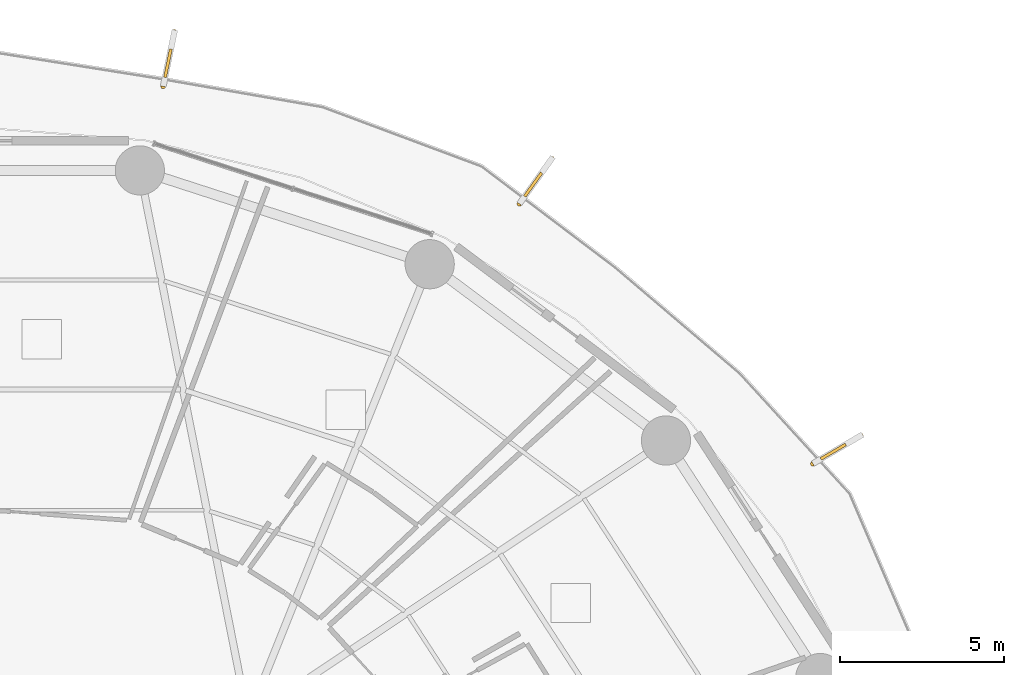
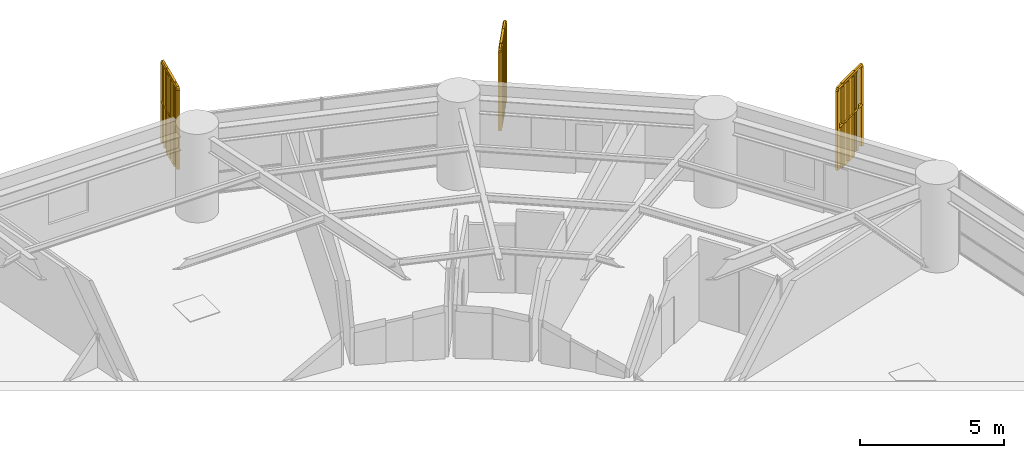
# One storey, part 32 of 32: 3 railings, 3 shading devices.
"""IFC4 building model written with IfcOpenShell, lengths in metres."""

from ifc_helpers import new_model, si_unit, direction, frame, origin, origin_2d, place, context, subcontext, project, spatial, polyline, rectangle, outline, extrude, source, transform, mapped, material, type_object, element, save


model = new_model("IFC4")

# Units and contexts
model_context = context("Model", 3, precision=1e-05, world=origin(), true_north=direction((0.0, 1.0)))
body_context = subcontext(model_context, "Body", "Model", "MODEL_VIEW")
ifc_project = project(units=[si_unit("LENGTHUNIT", "METRE"), si_unit("AREAUNIT", "SQUARE_METRE"), si_unit("VOLUMEUNIT", "CUBIC_METRE"), si_unit("PLANEANGLEUNIT", "RADIAN"), si_unit("MASSUNIT", "GRAM", prefix="KILO")], contexts=[model_context])

# Site, building, storey
site_placement = place(None, origin())
site = spatial("IfcSite", under=ifc_project, at=site_placement, CompositionType="ELEMENT")
building_placement = place(site_placement, origin())
building = spatial("IfcBuilding", under=site, at=building_placement, Name="Kelanora Arch Commons", CompositionType="ELEMENT")
storey_placement = place(building_placement, frame((0.0, 0.0, 56.25)))
storey = spatial("IfcBuildingStorey", under=building, at=storey_placement, Name="L14", CompositionType="ELEMENT", Elevation=56.25)

# Railings
ifc_material_1 = material(Name="Anodised bronze vertical shading fin rib assembly")
railing_type = type_object("IfcRailingType", Name="RAIL-FIN-BRZ", PredefinedType="BALUSTRADE", material=ifc_material_1)
railing_1_placement = place(storey_placement, frame((99.22412109375, 72.7734375, -0.02001953125)))
element("IfcRailing", 1, at=railing_1_placement, inside=storey, type_object=railing_type, Name="Sweeping Bronze Vertical Fin Blade L14-00", PredefinedType="BALUSTRADE", context=body_context, shape_type="SweptSolid", body=[
    extrude(outline(polyline([(0.06982421875, 0.0), (0.034912109375, 0.060546875), (-0.034912109375, 0.060546875), (-0.06982421875, 0.0), (-0.034912109375, -0.060546875), (0.034912109375, -0.060546875), (0.06982421875, 0.0)])), frame((0.0, 0.0, 3.419921875), z_axis=(0.862893248021, 0.505386231035, 0.0), x_axis=(-0.505386231035, 0.862893248021, 0.0)), (0.0, 0.0, 1.0), 1.692138671875),
    extrude(outline(polyline([(0.06982421875, 0.0), (0.034912109375, 0.060546875), (-0.034912109375, 0.060546875), (-0.06982421875, 0.0), (-0.034912109375, -0.060546875), (0.034912109375, -0.060546875), (0.06982421875, 0.0)])), frame((0.0, 0.0, 1.7451171875), z_axis=(0.862893248021, 0.505386231035, 0.0), x_axis=(-0.505386231035, 0.862893248021, 0.0)), (0.0, 0.0, 1.0), 1.692138671875),
    extrude(outline(polyline([(0.080078125, 0.0), (0.0400390625, 0.0693359375), (-0.0400390625, 0.0693359375), (-0.080078125, 0.0), (-0.0400390625, -0.0693359375), (0.0400390625, -0.0693359375), (0.080078125, 0.0)])), origin(), (0.0, 0.0, 1.0), 3.35009765625),
    extrude(outline(polyline([(0.080078125, 0.0), (0.0400390625, 0.0693359375), (-0.0400390625, 0.0693359375), (-0.080078125, 0.0), (-0.0400390625, -0.0693359375), (0.0400390625, -0.0693359375), (0.080078125, 0.0)])), frame((0.2919921875, 0.171142578125, 0.0)), (0.0, 0.0, 1.0), 3.35009765625),
    extrude(outline(polyline([(0.080078125, 0.0), (0.0400390625, 0.0693359375), (-0.0400390625, 0.0693359375), (-0.080078125, 0.0), (-0.0400390625, -0.0693359375), (0.0400390625, -0.0693359375), (0.080078125, 0.0)])), frame((0.583984375, 0.342041015625, 0.0)), (0.0, 0.0, 1.0), 3.35009765625),
    extrude(outline(polyline([(0.080078125, 0.0), (0.0400390625, 0.0693359375), (-0.0400390625, 0.0693359375), (-0.080078125, 0.0), (-0.0400390625, -0.0693359375), (0.0400390625, -0.0693359375), (0.080078125, 0.0)])), frame((0.876220703125, 0.51318359375, 0.0)), (0.0, 0.0, 1.0), 3.35009765625),
    extrude(outline(polyline([(0.080078125, 0.0), (0.0400390625, 0.0693359375), (-0.0400390625, 0.0693359375), (-0.080078125, 0.0), (-0.0400390625, -0.0693359375), (0.0400390625, -0.0693359375), (0.080078125, 0.0)])), frame((1.168212890625, 0.68408203125, 0.0)), (0.0, 0.0, 1.0), 3.35009765625),
    extrude(outline(polyline([(0.080078125, 0.0), (0.0400390625, 0.0693359375), (-0.0400390625, 0.0693359375), (-0.080078125, 0.0), (-0.0400390625, -0.0693359375), (0.0400390625, -0.0693359375), (0.080078125, 0.0)])), frame((1.460205078125, 0.855224609375, 0.0)), (0.0, 0.0, 1.0), 3.35009765625),
])
railing_2_placement = place(storey_placement, frame((90.275390625, 80.697509765625, -0.02001953125)))
element("IfcRailing", 2, at=railing_2_placement, inside=storey, type_object=railing_type, Name="Sweeping Bronze Vertical Fin Blade L14-01", PredefinedType="BALUSTRADE", context=body_context, shape_type="SweptSolid", body=[
    extrude(outline(polyline([(0.06982421875, 0.0), (0.034912109375, 0.060546875), (-0.034912109375, 0.060546875), (-0.06982421875, 0.0), (-0.034912109375, -0.060546875), (0.034912109375, -0.060546875), (0.06982421875, 0.0)])), frame((0.0, 0.0, 3.419921875), z_axis=(0.582806416987, 0.812611026457, 0.0), x_axis=(-0.812611026457, 0.582806416987, 0.0)), (0.0, 0.0, 1.0), 1.6923828125),
    extrude(outline(polyline([(0.06982421875, 0.0), (0.034912109375, 0.060546875), (-0.034912109375, 0.060546875), (-0.06982421875, 0.0), (-0.034912109375, -0.060546875), (0.034912109375, -0.060546875), (0.06982421875, 0.0)])), frame((0.0, 0.0, 1.7451171875), z_axis=(0.582806416987, 0.812611026457, 0.0), x_axis=(-0.812611026457, 0.582806416987, 0.0)), (0.0, 0.0, 1.0), 1.6923828125),
    extrude(outline(polyline([(0.080078125, 0.0), (0.0400390625, 0.0693359375), (-0.0400390625, 0.0693359375), (-0.080078125, 0.0), (-0.0400390625, -0.0693359375), (0.0400390625, -0.0693359375), (0.080078125, 0.0)])), origin(), (0.0, 0.0, 1.0), 3.35009765625),
    extrude(outline(polyline([(0.080078125, 0.0), (0.0400390625, 0.0693359375), (-0.0400390625, 0.0693359375), (-0.080078125, 0.0), (-0.0400390625, -0.0693359375), (0.0400390625, -0.0693359375), (0.080078125, 0.0)])), frame((0.197265625, 0.275146484375, 0.0)), (0.0, 0.0, 1.0), 3.35009765625),
    extrude(outline(polyline([(0.080078125, 0.0), (0.0400390625, 0.0693359375), (-0.0400390625, 0.0693359375), (-0.080078125, 0.0), (-0.0400390625, -0.0693359375), (0.0400390625, -0.0693359375), (0.080078125, 0.0)])), frame((0.39453125, 0.550048828125, 0.0)), (0.0, 0.0, 1.0), 3.35009765625),
    extrude(outline(polyline([(0.080078125, 0.0), (0.0400390625, 0.0693359375), (-0.0400390625, 0.0693359375), (-0.080078125, 0.0), (-0.0400390625, -0.0693359375), (0.0400390625, -0.0693359375), (0.080078125, 0.0)])), frame((0.591796875, 0.8251953125, 0.0)), (0.0, 0.0, 1.0), 3.35009765625),
    extrude(outline(polyline([(0.080078125, 0.0), (0.0400390625, 0.0693359375), (-0.0400390625, 0.0693359375), (-0.080078125, 0.0), (-0.0400390625, -0.0693359375), (0.0400390625, -0.0693359375), (0.080078125, 0.0)])), frame((0.7890625, 1.10009765625, 0.0)), (0.0, 0.0, 1.0), 3.35009765625),
    extrude(outline(polyline([(0.080078125, 0.0), (0.0400390625, 0.0693359375), (-0.0400390625, 0.0693359375), (-0.080078125, 0.0), (-0.0400390625, -0.0693359375), (0.0400390625, -0.0693359375), (0.080078125, 0.0)])), frame((0.986328125, 1.375244140625, 0.0)), (0.0, 0.0, 1.0), 3.35009765625),
])
railing_3_placement = place(storey_placement, frame((79.414306640625, 84.276611328125, -0.02001953125)))
element("IfcRailing", 3, at=railing_3_placement, inside=storey, type_object=railing_type, Name="Sweeping Bronze Vertical Fin Blade L14-02", PredefinedType="BALUSTRADE", context=body_context, shape_type="SweptSolid", body=[
    extrude(outline(polyline([(0.06982421875, 0.0), (0.034912109375, 0.060546875), (-0.034912109375, 0.060546875), (-0.06982421875, 0.0), (-0.034912109375, -0.060546875), (0.034912109375, -0.060546875), (0.06982421875, 0.0)])), frame((0.0, 0.0, 3.419921875), z_axis=(0.201827952058, 0.97942099108, 0.0), x_axis=(-0.97942099108, 0.201827952058, 0.0)), (0.0, 0.0, 1.0), 1.6923828125),
    extrude(outline(polyline([(0.06982421875, 0.0), (0.034912109375, 0.060546875), (-0.034912109375, 0.060546875), (-0.06982421875, 0.0), (-0.034912109375, -0.060546875), (0.034912109375, -0.060546875), (0.06982421875, 0.0)])), frame((0.0, 0.0, 1.7451171875), z_axis=(0.201827952058, 0.97942099108, 0.0), x_axis=(-0.97942099108, 0.201827952058, 0.0)), (0.0, 0.0, 1.0), 1.6923828125),
    extrude(outline(polyline([(0.080078125, 0.0), (0.0400390625, 0.0693359375), (-0.0400390625, 0.0693359375), (-0.080078125, 0.0), (-0.0400390625, -0.0693359375), (0.0400390625, -0.0693359375), (0.080078125, 0.0)])), origin(), (0.0, 0.0, 1.0), 3.35009765625),
    extrude(outline(polyline([(0.080078125, 0.0), (0.0400390625, 0.0693359375), (-0.0400390625, 0.0693359375), (-0.080078125, 0.0), (-0.0400390625, -0.0693359375), (0.0400390625, -0.0693359375), (0.080078125, 0.0)])), frame((0.068359375, 0.33154296875, 0.0)), (0.0, 0.0, 1.0), 3.35009765625),
    extrude(outline(polyline([(0.080078125, 0.0), (0.0400390625, 0.0693359375), (-0.0400390625, 0.0693359375), (-0.080078125, 0.0), (-0.0400390625, -0.0693359375), (0.0400390625, -0.0693359375), (0.080078125, 0.0)])), frame((0.13671875, 0.6630859375, 0.0)), (0.0, 0.0, 1.0), 3.35009765625),
    extrude(outline(polyline([(0.080078125, 0.0), (0.0400390625, 0.0693359375), (-0.0400390625, 0.0693359375), (-0.080078125, 0.0), (-0.0400390625, -0.0693359375), (0.0400390625, -0.0693359375), (0.080078125, 0.0)])), frame((0.204833984375, 0.994384765625, 0.0)), (0.0, 0.0, 1.0), 3.35009765625),
    extrude(outline(polyline([(0.080078125, 0.0), (0.0400390625, 0.0693359375), (-0.0400390625, 0.0693359375), (-0.080078125, 0.0), (-0.0400390625, -0.0693359375), (0.0400390625, -0.0693359375), (0.080078125, 0.0)])), frame((0.273193359375, 1.325927734375, 0.0)), (0.0, 0.0, 1.0), 3.35009765625),
    extrude(outline(polyline([(0.080078125, 0.0), (0.0400390625, 0.0693359375), (-0.0400390625, 0.0693359375), (-0.080078125, 0.0), (-0.0400390625, -0.0693359375), (0.0400390625, -0.0693359375), (0.080078125, 0.0)])), frame((0.341552734375, 1.657470703125, 0.0)), (0.0, 0.0, 1.0), 3.35009765625),
])

# Shading devices
ifc_material_2 = material(Name="Terracotta ceramic-clad extruded aluminium fin", Category="masonry")
shading_device_type = type_object("IfcShadingDeviceType", Name="SHD-FIN-FLARE", PredefinedType="USERDEFINED", material=ifc_material_2)
shared_shape = source(origin(), body_context, "Body", "SweptSolid", [
    extrude(rectangle(XDim=0.8798828125, YDim=0.090087890625, at=origin_2d()), origin(), (0.0, 0.0, 1.0), 3.610107421875),
])
for number, where, z_axis, x_axis, name in (
    (4, (99.84521484375, 73.13720703125, -0.14013671875), (0.0, 0.0, 1.0), (0.862866737202, 0.505431492718, 0.0), "Sweeping Terracotta Fin L14-00"),
    (5, (90.695068359375, 81.282470703125, -0.14013671875), (0.0, 0.0, 1.0), (0.582690479669, 0.812694164433, 0.0), "Sweeping Terracotta Fin L14-01"),
    (6, (79.559814453125, 84.981689453125, -0.14013671875), (0.0, 0.0, 1.0), (0.201761744624, 0.979434632023, 0.0), "Sweeping Terracotta Fin L14-02"),
):
    element("IfcShadingDevice", number, at=place(storey_placement, frame(where, z_axis=z_axis, x_axis=x_axis)), inside=storey, type_object=shading_device_type, Name=name, ObjectType="FIN", PredefinedType="USERDEFINED", context=body_context, shape_type="MappedRepresentation", body=[
        mapped(shared_shape, transform((0.0, 0.0, 0.0), scale=1.0)),
    ])

save(model, "model.ifc")
